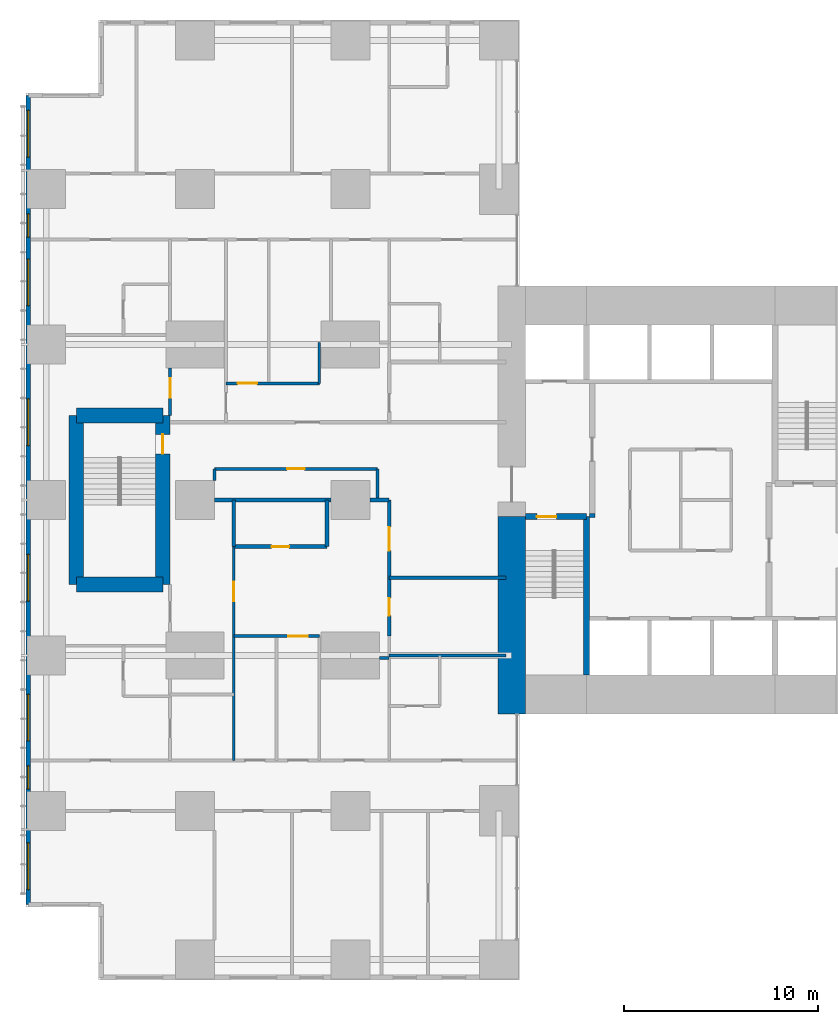
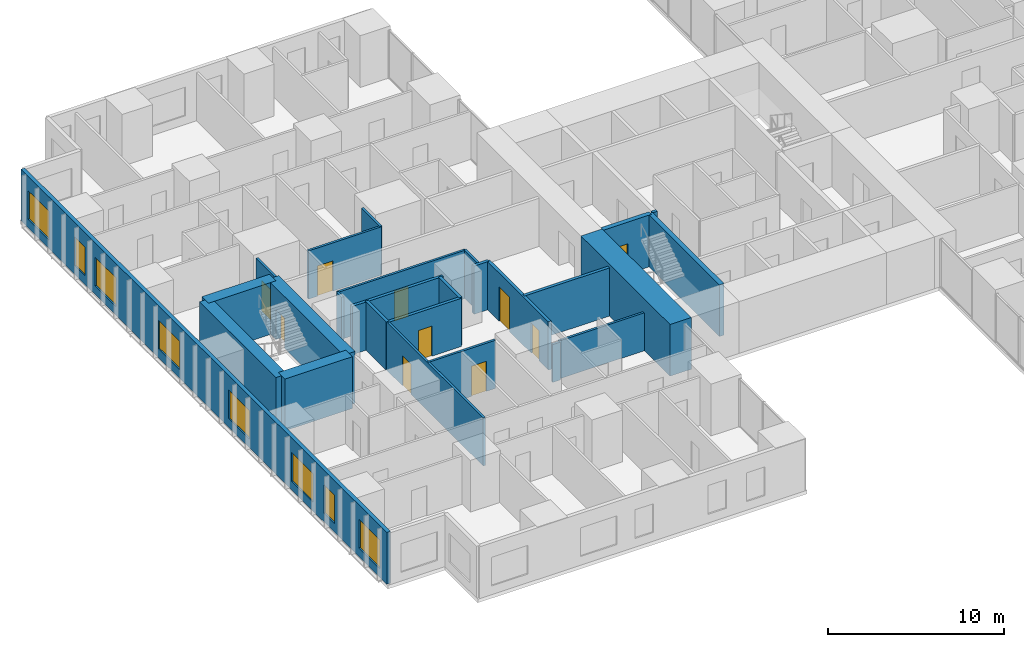
# One storey, part 13 of 20: 26 walls, 10 doors, 8 windows, 18 openings.
"""IFC4 building model written with IfcOpenShell, lengths in metres."""

from ifc_helpers import new_model, si_unit, direction, frame, frame_2d, origin, place, context, subcontext, project, spatial, rectangle, extrude, material, layer, layer_set, type_object, element, fill, save


model = new_model("IFC4")

# Units and contexts
model_context = context("Model", 3, precision=1e-05, world=origin(), true_north=direction((0.0, 1.0)))
body_context = subcontext(model_context, "Body", "Model", "MODEL_VIEW")
ifc_project = project(units=[si_unit("LENGTHUNIT", "METRE"), si_unit("AREAUNIT", "SQUARE_METRE"), si_unit("VOLUMEUNIT", "CUBIC_METRE"), si_unit("PLANEANGLEUNIT", "RADIAN"), si_unit("MASSUNIT", "GRAM", prefix="KILO")], contexts=[model_context])

# Site, building, storey
site_placement = place(None, origin())
site = spatial("IfcSite", under=ifc_project, at=site_placement, CompositionType="ELEMENT")
building_placement = place(site_placement, origin())
building = spatial("IfcBuilding", under=site, at=building_placement, Name="Cleftline Residences", CompositionType="ELEMENT")
storey_placement = place(building_placement, frame((0.0, 0.0, 44.0)))
storey = spatial("IfcBuildingStorey", under=building, at=storey_placement, Name="L10", CompositionType="ELEMENT", Elevation=44.0)

# Walls
ifc_material_1 = material(Name="Concrete B70", Category="concrete")
ifc_layer_1 = layer(ifc_material_1, 1.39990234375)
ifc_layer_set_1 = layer_set([ifc_layer_1], Name="CORE WALL 1400")
wall_type_1 = type_object("IfcWallType", Name="CORE WALL 1400", PredefinedType="SHEAR", material=ifc_layer_set_1)
wall_1_placement = place(storey_placement, frame((24.300048828125, 13.0, 0.0), z_axis=(0.0, 0.0, 1.0), x_axis=(0.0, 1.0, 0.0)))
element("IfcWall", 1, at=wall_1_placement, inside=storey, type_object=wall_type_1, Name="Core wall W0", PredefinedType="SHEAR", context=body_context, shape_type="SweptSolid", body=[
    extrude(rectangle(XDim=10.14990234375, YDim=1.39990234375, at=frame_2d((5.074951171875, 0.0))), origin(), (0.0, 0.0, 1.0), 3.60009765625),
])
ifc_material_2 = material(Name="Concrete B70", Category="concrete")
ifc_layer_2 = layer(ifc_material_2, 0.300048828125)
ifc_layer_set_2 = layer_set([ifc_layer_2], Name="CORE WALL 300")
wall_type_2 = type_object("IfcWallType", Name="CORE WALL 300", PredefinedType="SHEAR", material=ifc_layer_set_2)
wall_2_placement = place(storey_placement, frame((28.14990234375, 15.0, 0.0), z_axis=(0.0, 0.0, 1.0), x_axis=(0.0, 1.0, 0.0)))
element("IfcWall", 2, at=wall_2_placement, inside=storey, type_object=wall_type_2, Name="Core wall SA-E", PredefinedType="SHEAR", context=body_context, shape_type="SweptSolid", body=[
    extrude(rectangle(XDim=8.14990234375, YDim=0.300048828125, at=frame_2d((4.074951171875, 0.0))), origin(), (0.0, 0.0, 1.0), 3.60009765625),
])

# Wall, opening, door
wall_3_placement = place(storey_placement, frame((25.0, 23.14990234375, 0.0), z_axis=(0.0, 0.0, 1.0), x_axis=(1.0, 0.0, 0.0)))
wall_3 = element("IfcWall", 3, at=wall_3_placement, inside=storey, type_object=wall_type_2, Name="Core wall SA-N", PredefinedType="SHEAR", context=body_context, shape_type="SweptSolid", body=[
    extrude(rectangle(XDim=3.14990234375, YDim=0.300048828125, at=frame_2d((1.574951171875, 0.0))), origin(), (0.0, 0.0, 1.0), 3.60009765625),
])
opening_1_placement = place(wall_3_placement, frame((0.60009765625, 0.0, 0.0)))
opening_1 = element("IfcOpeningElement", 4, at=opening_1_placement, cuts=wall_3, Name="Opening D5", PredefinedType="OPENING", context=body_context, shape_type="SweptSolid", body=[
    extrude(rectangle(XDim=1.0, YDim=2.10009765625, at=frame_2d((0.5, 1.050048828125))), frame((0.0, 0.159912109375, 0.0), z_axis=(0.0, -1.0, 0.0), x_axis=(1.0, 0.0, 0.0)), (0.0, 0.0, 1.0), 0.320068359375),
])
ifc_material_3 = material(Name="Steel", Category="steel")
door_type_1 = type_object("IfcDoorType", Name="STAIR DOOR 1000X2100", OperationType="SINGLE_SWING_LEFT", PredefinedType="DOOR", material=ifc_material_3)
door_1_placement = place(opening_1_placement, origin())
door_1 = element("IfcDoor", 5, at=door_1_placement, inside=storey, type_object=door_type_1, Name="Stair A door", OperationType="SINGLE_SWING_RIGHT", OverallHeight=2.10009765625, OverallWidth=1.0, PredefinedType="DOOR", context=body_context, shape_type="SweptSolid", body=[
    extrude(rectangle(XDim=1.0, YDim=2.10009765625, at=frame_2d((0.5, 1.050048828125))), frame((0.0, 0.02490234375, 0.0), z_axis=(0.0, -1.0, 0.0), x_axis=(1.0, 0.0, 0.0)), (0.0, 0.0, 1.0), 0.050048828125),
])
fill(opening_1, door_1)

# Wall, openings, windows
ifc_material_4 = material(Name="Rendered reinforced concrete blockwork", Category="masonry")
ifc_layer_3 = layer(ifc_material_4, 0.25)
ifc_layer_set_3 = layer_set([ifc_layer_3], Name="EXTERNAL WALL 250")
wall_type_3 = type_object("IfcWallType", Name="EXTERNAL WALL 250", PredefinedType="SOLIDWALL", material=ifc_layer_set_3)
wall_4_placement = place(storey_placement, frame((-0.574951171875, 44.824951171875, 0.0), z_axis=(0.0, 0.0, 1.0), x_axis=(0.0, -1.0, 0.0)))
wall_4 = element("IfcWall", 6, at=wall_4_placement, inside=storey, type_object=wall_type_3, Name="External wall", PredefinedType="SOLIDWALL", context=body_context, shape_type="SweptSolid", body=[
    extrude(rectangle(XDim=41.64990234375, YDim=0.25, at=frame_2d((20.824951171875, 0.0))), origin(), (0.0, 0.0, 1.0), 3.60009765625),
])
opening_2_placement = place(wall_4_placement, frame((0.77490234375, 0.0, 0.60009765625)))
opening_2 = element("IfcOpeningElement", 7, at=opening_2_placement, cuts=wall_4, Name="Opening W6", PredefinedType="OPENING", context=body_context, shape_type="SweptSolid", body=[
    extrude(rectangle(XDim=2.39990234375, YDim=2.0, at=frame_2d((1.199951171875, 1.0))), frame((0.0, 0.135009765625, 0.0), z_axis=(0.0, -1.0, 0.0), x_axis=(1.0, 0.0, 0.0)), (0.0, 0.0, 1.0), 0.27001953125),
])
opening_3_placement = place(wall_4_placement, frame((6.10009765625, 0.0, 0.60009765625)))
opening_3 = element("IfcOpeningElement", 8, at=opening_3_placement, cuts=wall_4, Name="Opening W8", PredefinedType="OPENING", context=body_context, shape_type="SweptSolid", body=[
    extrude(rectangle(XDim=1.199951171875, YDim=2.0, at=frame_2d((0.60009765625, 1.0))), frame((0.0, 0.135009765625, 0.0), z_axis=(0.0, -1.0, 0.0), x_axis=(1.0, 0.0, 0.0)), (0.0, 0.0, 1.0), 0.27001953125),
])
opening_4_placement = place(wall_4_placement, frame((8.425048828125, 0.0, 0.60009765625)))
opening_4 = element("IfcOpeningElement", 9, at=opening_4_placement, cuts=wall_4, Name="Opening W6", PredefinedType="OPENING", context=body_context, shape_type="SweptSolid", body=[
    extrude(rectangle(XDim=2.39990234375, YDim=2.0, at=frame_2d((1.199951171875, 1.0))), frame((0.0, 0.135009765625, 0.0), z_axis=(0.0, -1.0, 0.0), x_axis=(1.0, 0.0, 0.0)), (0.0, 0.0, 1.0), 0.27001953125),
])
opening_5_placement = place(wall_4_placement, frame((15.625, 0.0, 0.60009765625)))
opening_5 = element("IfcOpeningElement", 10, at=opening_5_placement, cuts=wall_4, Name="Opening W6", PredefinedType="OPENING", context=body_context, shape_type="SweptSolid", body=[
    extrude(rectangle(XDim=2.39990234375, YDim=2.0, at=frame_2d((1.199951171875, 1.0))), frame((0.0, 0.135009765625, 0.0), z_axis=(0.0, -1.0, 0.0), x_axis=(1.0, 0.0, 0.0)), (0.0, 0.0, 1.0), 0.27001953125),
])
opening_6_placement = place(wall_4_placement, frame((23.625, 0.0, 0.60009765625)))
opening_6 = element("IfcOpeningElement", 11, at=opening_6_placement, cuts=wall_4, Name="Opening W6", PredefinedType="OPENING", context=body_context, shape_type="SweptSolid", body=[
    extrude(rectangle(XDim=2.39990234375, YDim=2.0, at=frame_2d((1.199951171875, 1.0))), frame((0.0, 0.135009765625, 0.0), z_axis=(0.0, -1.0, 0.0), x_axis=(1.0, 0.0, 0.0)), (0.0, 0.0, 1.0), 0.27001953125),
])
opening_7_placement = place(wall_4_placement, frame((30.824951171875, 0.0, 0.60009765625)))
opening_7 = element("IfcOpeningElement", 12, at=opening_7_placement, cuts=wall_4, Name="Opening W6", PredefinedType="OPENING", context=body_context, shape_type="SweptSolid", body=[
    extrude(rectangle(XDim=2.39990234375, YDim=2.0, at=frame_2d((1.199951171875, 1.0))), frame((0.0, 0.135009765625, 0.0), z_axis=(0.0, -1.0, 0.0), x_axis=(1.0, 0.0, 0.0)), (0.0, 0.0, 1.0), 0.27001953125),
])
opening_8_placement = place(wall_4_placement, frame((34.5, 0.0, 0.60009765625)))
opening_8 = element("IfcOpeningElement", 13, at=opening_8_placement, cuts=wall_4, Name="Opening W8", PredefinedType="OPENING", context=body_context, shape_type="SweptSolid", body=[
    extrude(rectangle(XDim=1.199951171875, YDim=2.0, at=frame_2d((0.60009765625, 1.0))), frame((0.0, 0.135009765625, 0.0), z_axis=(0.0, -1.0, 0.0), x_axis=(1.0, 0.0, 0.0)), (0.0, 0.0, 1.0), 0.27001953125),
])
opening_9_placement = place(wall_4_placement, frame((38.47509765625, 0.0, 0.60009765625)))
opening_9 = element("IfcOpeningElement", 14, at=opening_9_placement, cuts=wall_4, Name="Opening W6", PredefinedType="OPENING", context=body_context, shape_type="SweptSolid", body=[
    extrude(rectangle(XDim=2.39990234375, YDim=2.0, at=frame_2d((1.199951171875, 1.0))), frame((0.0, 0.135009765625, 0.0), z_axis=(0.0, -1.0, 0.0), x_axis=(1.0, 0.0, 0.0)), (0.0, 0.0, 1.0), 0.27001953125),
])
ifc_material_5 = material(Name="Aluminium frame, clear double glazing", Category="aluminium")
window_type_1 = type_object("IfcWindowType", Name="WINDOW 1200X2000", PartitioningType="DOUBLE_PANEL_VERTICAL", PredefinedType="WINDOW", material=ifc_material_5)
window_1_placement = place(opening_3_placement, origin())
window_1 = element("IfcWindow", 15, at=window_1_placement, inside=storey, type_object=window_type_1, Name="Window", OverallHeight=2.0, OverallWidth=1.199951171875, PartitioningType="SINGLE_PANEL", PredefinedType="WINDOW", context=body_context, shape_type="SweptSolid", body=[
    extrude(rectangle(XDim=1.199951171875, YDim=2.0, at=frame_2d((0.60009765625, 1.0))), frame((0.0, 0.030029296875, 0.0), z_axis=(0.0, -1.0, 0.0), x_axis=(1.0, 0.0, 0.0)), (0.0, 0.0, 1.0), 0.06005859375),
])
fill(opening_3, window_1)
window_2_placement = place(opening_8_placement, origin())
window_2 = element("IfcWindow", 16, at=window_2_placement, inside=storey, type_object=window_type_1, Name="Window", OverallHeight=2.0, OverallWidth=1.199951171875, PartitioningType="SINGLE_PANEL", PredefinedType="WINDOW", context=body_context, shape_type="SweptSolid", body=[
    extrude(rectangle(XDim=1.199951171875, YDim=2.0, at=frame_2d((0.60009765625, 1.0))), frame((0.0, 0.030029296875, 0.0), z_axis=(0.0, -1.0, 0.0), x_axis=(1.0, 0.0, 0.0)), (0.0, 0.0, 1.0), 0.06005859375),
])
fill(opening_8, window_2)
ifc_material_6 = material(Name="Aluminium frame, clear double glazing", Category="aluminium")
window_type_2 = type_object("IfcWindowType", Name="WINDOW 2400X2000", PartitioningType="DOUBLE_PANEL_VERTICAL", PredefinedType="WINDOW", material=ifc_material_6)
window_3_placement = place(opening_2_placement, origin())
window_3 = element("IfcWindow", 17, at=window_3_placement, inside=storey, type_object=window_type_2, Name="Window", OverallHeight=2.0, OverallWidth=2.39990234375, PartitioningType="SINGLE_PANEL", PredefinedType="WINDOW", context=body_context, shape_type="SweptSolid", body=[
    extrude(rectangle(XDim=2.39990234375, YDim=2.0, at=frame_2d((1.199951171875, 1.0))), frame((0.0, 0.030029296875, 0.0), z_axis=(0.0, -1.0, 0.0), x_axis=(1.0, 0.0, 0.0)), (0.0, 0.0, 1.0), 0.06005859375),
])
fill(opening_2, window_3)
window_4_placement = place(opening_4_placement, origin())
window_4 = element("IfcWindow", 18, at=window_4_placement, inside=storey, type_object=window_type_2, Name="Window", OverallHeight=2.0, OverallWidth=2.39990234375, PartitioningType="SINGLE_PANEL", PredefinedType="WINDOW", context=body_context, shape_type="SweptSolid", body=[
    extrude(rectangle(XDim=2.39990234375, YDim=2.0, at=frame_2d((1.199951171875, 1.0))), frame((0.0, 0.030029296875, 0.0), z_axis=(0.0, -1.0, 0.0), x_axis=(1.0, 0.0, 0.0)), (0.0, 0.0, 1.0), 0.06005859375),
])
fill(opening_4, window_4)
window_5_placement = place(opening_5_placement, origin())
window_5 = element("IfcWindow", 19, at=window_5_placement, inside=storey, type_object=window_type_2, Name="Window", OverallHeight=2.0, OverallWidth=2.39990234375, PartitioningType="SINGLE_PANEL", PredefinedType="WINDOW", context=body_context, shape_type="SweptSolid", body=[
    extrude(rectangle(XDim=2.39990234375, YDim=2.0, at=frame_2d((1.199951171875, 1.0))), frame((0.0, 0.030029296875, 0.0), z_axis=(0.0, -1.0, 0.0), x_axis=(1.0, 0.0, 0.0)), (0.0, 0.0, 1.0), 0.06005859375),
])
fill(opening_5, window_5)
window_6_placement = place(opening_6_placement, origin())
window_6 = element("IfcWindow", 20, at=window_6_placement, inside=storey, type_object=window_type_2, Name="Window", OverallHeight=2.0, OverallWidth=2.39990234375, PartitioningType="SINGLE_PANEL", PredefinedType="WINDOW", context=body_context, shape_type="SweptSolid", body=[
    extrude(rectangle(XDim=2.39990234375, YDim=2.0, at=frame_2d((1.199951171875, 1.0))), frame((0.0, 0.030029296875, 0.0), z_axis=(0.0, -1.0, 0.0), x_axis=(1.0, 0.0, 0.0)), (0.0, 0.0, 1.0), 0.06005859375),
])
fill(opening_6, window_6)
window_7_placement = place(opening_7_placement, origin())
window_7 = element("IfcWindow", 21, at=window_7_placement, inside=storey, type_object=window_type_2, Name="Window", OverallHeight=2.0, OverallWidth=2.39990234375, PartitioningType="SINGLE_PANEL", PredefinedType="WINDOW", context=body_context, shape_type="SweptSolid", body=[
    extrude(rectangle(XDim=2.39990234375, YDim=2.0, at=frame_2d((1.199951171875, 1.0))), frame((0.0, 0.030029296875, 0.0), z_axis=(0.0, -1.0, 0.0), x_axis=(1.0, 0.0, 0.0)), (0.0, 0.0, 1.0), 0.06005859375),
])
fill(opening_7, window_7)
window_8_placement = place(opening_9_placement, origin())
window_8 = element("IfcWindow", 22, at=window_8_placement, inside=storey, type_object=window_type_2, Name="Window", OverallHeight=2.0, OverallWidth=2.39990234375, PartitioningType="SINGLE_PANEL", PredefinedType="WINDOW", context=body_context, shape_type="SweptSolid", body=[
    extrude(rectangle(XDim=2.39990234375, YDim=2.0, at=frame_2d((1.199951171875, 1.0))), frame((0.0, 0.030029296875, 0.0), z_axis=(0.0, -1.0, 0.0), x_axis=(1.0, 0.0, 0.0)), (0.0, 0.0, 1.0), 0.06005859375),
])
fill(opening_9, window_8)

# Wall
ifc_material_7 = material(Name="Concrete blockwork, fire rated", Category="masonry")
ifc_layer_4 = layer(ifc_material_7, 0.199951171875)
ifc_layer_set_4 = layer_set([ifc_layer_4], Name="FIRE WALL 200")
wall_type_4 = type_object("IfcWallType", Name="FIRE WALL 200", PredefinedType="PARTITIONING", material=ifc_layer_set_4)
wall_5_placement = place(storey_placement, frame((18.0, 20.0, 0.0), z_axis=(0.0, 0.0, 1.0), x_axis=(1.0, 0.0, 0.0)))
element("IfcWall", 23, at=wall_5_placement, inside=storey, type_object=wall_type_4, Name="Fire separating wall", PredefinedType="PARTITIONING", context=body_context, shape_type="SweptSolid", body=[
    extrude(rectangle(XDim=6.0, YDim=0.199951171875, at=frame_2d((3.0, 0.0))), origin(), (0.0, 0.0, 1.0), 3.35009765625),
])

# Wall, opening, door
wall_6_placement = place(storey_placement, frame((10.0, 21.60009765625, 0.0), z_axis=(0.0, 0.0, 1.0), x_axis=(1.0, 0.0, 0.0)))
wall_6 = element("IfcWall", 24, at=wall_6_placement, inside=storey, type_object=wall_type_4, Name="Fire separating wall", PredefinedType="PARTITIONING", context=body_context, shape_type="SweptSolid", body=[
    extrude(rectangle(XDim=4.800048828125, YDim=0.199951171875, at=frame_2d((2.39990234375, 0.0))), origin(), (0.0, 0.0, 1.0), 3.35009765625),
])
opening_10_placement = place(wall_6_placement, frame((1.949951171875, 0.0, 0.0)))
opening_10 = element("IfcOpeningElement", 25, at=opening_10_placement, cuts=wall_6, Name="Opening D1F30", PredefinedType="OPENING", context=body_context, shape_type="SweptSolid", body=[
    extrude(rectangle(XDim=0.89990234375, YDim=2.10009765625, at=frame_2d((0.449951171875, 1.050048828125))), frame((0.0, 0.10986328125, 0.0), z_axis=(0.0, -1.0, 0.0), x_axis=(1.0, 0.0, 0.0)), (0.0, 0.0, 1.0), 0.219970703125),
])
ifc_material_8 = material(Name="Timber veneer on solid core", Category="wood")
door_type_2 = type_object("IfcDoorType", Name="DOOR 900X2100 EI 30", OperationType="SINGLE_SWING_LEFT", PredefinedType="DOOR", material=ifc_material_8)
door_2_placement = place(opening_10_placement, origin())
door_2 = element("IfcDoor", 26, at=door_2_placement, inside=storey, type_object=door_type_2, Name="Door to cloakroom wc", OperationType="SINGLE_SWING_LEFT", OverallHeight=2.10009765625, OverallWidth=0.89990234375, PredefinedType="DOOR", context=body_context, shape_type="SweptSolid", body=[
    extrude(rectangle(XDim=0.89990234375, YDim=2.10009765625, at=frame_2d((0.449951171875, 1.050048828125))), frame((0.0, 0.02490234375, 0.0), z_axis=(0.0, -1.0, 0.0), x_axis=(1.0, 0.0, 0.0)), (0.0, 0.0, 1.0), 0.050048828125),
])
fill(opening_10, door_2)

# Walls
wall_7_placement = place(storey_placement, frame((9.0, 24.0, 0.0), z_axis=(0.0, 0.0, 1.0), x_axis=(1.0, 0.0, 0.0)))
element("IfcWall", 27, at=wall_7_placement, inside=storey, type_object=wall_type_4, Name="Fire separating wall", PredefinedType="PARTITIONING", context=body_context, shape_type="SweptSolid", body=[
    extrude(rectangle(XDim=6.0, YDim=0.199951171875, at=frame_2d((3.0, 0.0))), origin(), (0.0, 0.0, 1.0), 3.35009765625),
])
wall_8_placement = place(storey_placement, frame((17.0, 24.0, 0.0), z_axis=(0.0, 0.0, 1.0), x_axis=(1.0, 0.0, 0.0)))
element("IfcWall", 28, at=wall_8_placement, inside=storey, type_object=wall_type_4, Name="Fire separating wall", PredefinedType="PARTITIONING", context=body_context, shape_type="SweptSolid", body=[
    extrude(rectangle(XDim=1.0, YDim=0.199951171875, at=frame_2d((0.5, 0.0))), origin(), (0.0, 0.0, 1.0), 3.35009765625),
])
for number, where, z_axis, x_axis, name in (
    (29, (10.0, 21.60009765625, 0.0), (0.0, 0.0, 1.0), (0.0, 1.0, 0.0), "Fire separating wall"),
    (30, (14.800048828125, 21.60009765625, 0.0), (0.0, 0.0, 1.0), (0.0, 1.0, 0.0), "Fire separating wall"),
):
    element("IfcWall", number, at=place(storey_placement, frame(where, z_axis=z_axis, x_axis=x_axis)), inside=storey, type_object=wall_type_4, Name=name, PredefinedType="PARTITIONING", context=body_context, shape_type="SweptSolid", body=[
        extrude(rectangle(XDim=2.39990234375, YDim=0.199951171875, at=frame_2d((1.199951171875, 0.0))), origin(), (0.0, 0.0, 1.0), 3.35009765625),
    ])

# Wall, openings, doors
wall_9_placement = place(storey_placement, frame((18.0, 17.0, 0.0), z_axis=(0.0, 0.0, 1.0), x_axis=(0.0, 1.0, 0.0)))
wall_9 = element("IfcWall", 31, at=wall_9_placement, inside=storey, type_object=wall_type_4, Name="Fire separating wall", PredefinedType="PARTITIONING", context=body_context, shape_type="SweptSolid", body=[
    extrude(rectangle(XDim=7.0, YDim=0.199951171875, at=frame_2d((3.5, 0.0))), origin(), (0.0, 0.0, 1.0), 3.35009765625),
])
opening_11_placement = place(wall_9_placement, frame((4.39990234375, 0.0, 0.0)))
opening_11 = element("IfcOpeningElement", 32, at=opening_11_placement, cuts=wall_9, Name="Opening D4", PredefinedType="OPENING", context=body_context, shape_type="SweptSolid", body=[
    extrude(rectangle(XDim=1.199951171875, YDim=2.39990234375, at=frame_2d((0.60009765625, 1.199951171875))), frame((0.0, 0.10986328125, 0.0), z_axis=(0.0, -1.0, 0.0), x_axis=(1.0, 0.0, 0.0)), (0.0, 0.0, 1.0), 0.219970703125),
])
opening_12_placement = place(wall_9_placement, frame((1.050048828125, 0.0, 0.0)))
opening_12 = element("IfcOpeningElement", 33, at=opening_12_placement, cuts=wall_9, Name="Opening D1F30", PredefinedType="OPENING", context=body_context, shape_type="SweptSolid", body=[
    extrude(rectangle(XDim=0.89990234375, YDim=2.10009765625, at=frame_2d((0.449951171875, 1.050048828125))), frame((0.0, 0.10986328125, 0.0), z_axis=(0.0, -1.0, 0.0), x_axis=(1.0, 0.0, 0.0)), (0.0, 0.0, 1.0), 0.219970703125),
])
ifc_material_9 = material(Name="Timber veneer on solid core", Category="wood")
door_type_3 = type_object("IfcDoorType", Name="APARTMENT ENTRANCE DOOR 1200X2400", OperationType="SINGLE_SWING_RIGHT", PredefinedType="DOOR", material=ifc_material_9)
door_3_placement = place(opening_11_placement, origin())
door_3 = element("IfcDoor", 34, at=door_3_placement, inside=storey, type_object=door_type_3, Name="Door to residence entrance foyer", OperationType="SINGLE_SWING_LEFT", OverallHeight=2.39990234375, OverallWidth=1.199951171875, PredefinedType="DOOR", context=body_context, shape_type="SweptSolid", body=[
    extrude(rectangle(XDim=1.199951171875, YDim=2.39990234375, at=frame_2d((0.60009765625, 1.199951171875))), frame((0.0, 0.02490234375, 0.0), z_axis=(0.0, -1.0, 0.0), x_axis=(1.0, 0.0, 0.0)), (0.0, 0.0, 1.0), 0.050048828125),
])
fill(opening_11, door_3)
door_4_placement = place(opening_12_placement, origin())
door_4 = element("IfcDoor", 35, at=door_4_placement, inside=storey, type_object=door_type_2, Name="Door to utility room", OperationType="SINGLE_SWING_RIGHT", OverallHeight=2.10009765625, OverallWidth=0.89990234375, PredefinedType="DOOR", context=body_context, shape_type="SweptSolid", body=[
    extrude(rectangle(XDim=0.89990234375, YDim=2.10009765625, at=frame_2d((0.449951171875, 1.050048828125))), frame((0.0, 0.02490234375, 0.0), z_axis=(0.0, -1.0, 0.0), x_axis=(1.0, 0.0, 0.0)), (0.0, 0.0, 1.0), 0.050048828125),
])
fill(opening_12, door_4)

# Walls
wall_10_placement = place(storey_placement, frame((28.300048828125, 23.199951171875, 0.0), z_axis=(0.0, 0.0, 1.0), x_axis=(1.0, 0.0, 0.0)))
element("IfcWall", 36, at=wall_10_placement, inside=storey, type_object=wall_type_4, Name="Fire separating wall", PredefinedType="PARTITIONING", context=body_context, shape_type="SweptSolid", body=[
    extrude(rectangle(XDim=0.300048828125, YDim=0.199951171875, at=frame_2d((0.14990234375, 0.0))), origin(), (0.0, 0.0, 1.0), 3.60009765625),
])
ifc_material_10 = material(Name="Gypsum board on steel studs", Category="steel")
ifc_layer_5 = layer(ifc_material_10, 0.14990234375)
ifc_layer_set_5 = layer_set([ifc_layer_5], Name="PARTITION 150")
wall_type_5 = type_object("IfcWallType", Name="PARTITION 150", PredefinedType="PARTITIONING", material=ifc_layer_set_5)
wall_11_placement = place(storey_placement, frame((17.5, 15.875, 0.0), z_axis=(0.0, 0.0, 1.0), x_axis=(1.0, 0.0, 0.0)))
element("IfcWall", 37, at=wall_11_placement, inside=storey, type_object=wall_type_5, Name="Partition", PredefinedType="PARTITIONING", context=body_context, shape_type="SweptSolid", body=[
    extrude(rectangle(XDim=0.5, YDim=0.14990234375, at=frame_2d((0.25, 0.0))), origin(), (0.0, 0.0, 1.0), 2.634033203125),
])
wall_12_placement = place(storey_placement, frame((18.0, 16.0, 0.0), z_axis=(0.0, 0.0, 1.0), x_axis=(1.0, 0.0, 0.0)))
element("IfcWall", 38, at=wall_12_placement, inside=storey, type_object=wall_type_5, Name="Partition", PredefinedType="PARTITIONING", context=body_context, shape_type="SweptSolid", body=[
    extrude(rectangle(XDim=6.0, YDim=0.14990234375, at=frame_2d((3.0, 0.0))), origin(), (0.0, 0.0, 1.0), 2.634033203125),
])

# Wall, opening, door
wall_13_placement = place(storey_placement, frame((10.0, 17.0, 0.0), z_axis=(0.0, 0.0, 1.0), x_axis=(1.0, 0.0, 0.0)))
wall_13 = element("IfcWall", 39, at=wall_13_placement, inside=storey, type_object=wall_type_5, Name="Partition", PredefinedType="PARTITIONING", context=body_context, shape_type="SweptSolid", body=[
    extrude(rectangle(XDim=4.39990234375, YDim=0.14990234375, at=frame_2d((2.199951171875, 0.0))), origin(), (0.0, 0.0, 1.0), 3.35009765625),
])
opening_13_placement = place(wall_13_placement, frame((2.800048828125, 0.0, 0.0)))
opening_13 = element("IfcOpeningElement", 40, at=opening_13_placement, cuts=wall_13, Name="Opening D2", PredefinedType="OPENING", context=body_context, shape_type="SweptSolid", body=[
    extrude(rectangle(XDim=1.0, YDim=2.10009765625, at=frame_2d((0.5, 1.050048828125))), frame((0.0, 0.0849609375, 0.0), z_axis=(0.0, -1.0, 0.0), x_axis=(1.0, 0.0, 0.0)), (0.0, 0.0, 1.0), 0.169921875),
])
ifc_material_11 = material(Name="Timber veneer on solid core", Category="wood")
door_type_4 = type_object("IfcDoorType", Name="DOOR 1000X2100", OperationType="SINGLE_SWING_LEFT", PredefinedType="DOOR", material=ifc_material_11)
door_5_placement = place(opening_13_placement, origin())
door_5 = element("IfcDoor", 41, at=door_5_placement, inside=storey, type_object=door_type_4, Name="Door to residence passage", OperationType="SINGLE_SWING_LEFT", OverallHeight=2.10009765625, OverallWidth=1.0, PredefinedType="DOOR", context=body_context, shape_type="SweptSolid", body=[
    extrude(rectangle(XDim=1.0, YDim=2.10009765625, at=frame_2d((0.5, 1.050048828125))), frame((0.0, 0.02490234375, 0.0), z_axis=(0.0, -1.0, 0.0), x_axis=(1.0, 0.0, 0.0)), (0.0, 0.0, 1.0), 0.050048828125),
])
fill(opening_13, door_5)

wall_14_placement = place(storey_placement, frame((9.0, 25.60009765625, 0.0), z_axis=(0.0, 0.0, 1.0), x_axis=(1.0, 0.0, 0.0)))
wall_14 = element("IfcWall", 42, at=wall_14_placement, inside=storey, type_object=wall_type_5, Name="Partition", PredefinedType="PARTITIONING", context=body_context, shape_type="SweptSolid", body=[
    extrude(rectangle(XDim=8.39990234375, YDim=0.14990234375, at=frame_2d((4.199951171875, 0.0))), origin(), (0.0, 0.0, 1.0), 3.35009765625),
])
opening_14_placement = place(wall_14_placement, frame((3.75, 0.0, 0.0)))
opening_14 = element("IfcOpeningElement", 43, at=opening_14_placement, cuts=wall_14, Name="Opening D1", PredefinedType="OPENING", context=body_context, shape_type="SweptSolid", body=[
    extrude(rectangle(XDim=0.89990234375, YDim=2.10009765625, at=frame_2d((0.449951171875, 1.050048828125))), frame((0.0, 0.0849609375, 0.0), z_axis=(0.0, -1.0, 0.0), x_axis=(1.0, 0.0, 0.0)), (0.0, 0.0, 1.0), 0.169921875),
])
ifc_material_12 = material(Name="Timber veneer on solid core", Category="wood")
door_type_5 = type_object("IfcDoorType", Name="DOOR 900X2100", OperationType="SINGLE_SWING_LEFT", PredefinedType="DOOR", material=ifc_material_12)
door_6_placement = place(opening_14_placement, origin())
door_6 = element("IfcDoor", 44, at=door_6_placement, inside=storey, type_object=door_type_5, Name="Door to residents' locker room", OperationType="SINGLE_SWING_LEFT", OverallHeight=2.10009765625, OverallWidth=0.89990234375, PredefinedType="DOOR", context=body_context, shape_type="SweptSolid", body=[
    extrude(rectangle(XDim=0.89990234375, YDim=2.10009765625, at=frame_2d((0.449951171875, 1.050048828125))), frame((0.0, 0.02490234375, 0.0), z_axis=(0.0, -1.0, 0.0), x_axis=(1.0, 0.0, 0.0)), (0.0, 0.0, 1.0), 0.050048828125),
])
fill(opening_14, door_6)

wall_15_placement = place(storey_placement, frame((9.60009765625, 30.0, 0.0), z_axis=(0.0, 0.0, 1.0), x_axis=(1.0, 0.0, 0.0)))
wall_15 = element("IfcWall", 45, at=wall_15_placement, inside=storey, type_object=wall_type_5, Name="Partition", PredefinedType="PARTITIONING", context=body_context, shape_type="SweptSolid", body=[
    extrude(rectangle(XDim=4.7998046875, YDim=0.14990234375, at=frame_2d((2.39990234375, 0.0))), origin(), (0.0, 0.0, 1.0), 3.35009765625),
])
opening_15_placement = place(wall_15_placement, frame((0.60009765625, 0.0, 0.0)))
opening_15 = element("IfcOpeningElement", 46, at=opening_15_placement, cuts=wall_15, Name="Opening D2", PredefinedType="OPENING", context=body_context, shape_type="SweptSolid", body=[
    extrude(rectangle(XDim=1.0, YDim=2.10009765625, at=frame_2d((0.5, 1.050048828125))), frame((0.0, 0.0849609375, 0.0), z_axis=(0.0, -1.0, 0.0), x_axis=(1.0, 0.0, 0.0)), (0.0, 0.0, 1.0), 0.169921875),
])
door_7_placement = place(opening_15_placement, origin())
door_7 = element("IfcDoor", 47, at=door_7_placement, inside=storey, type_object=door_type_4, Name="Door to residence passage", OperationType="SINGLE_SWING_RIGHT", OverallHeight=2.10009765625, OverallWidth=1.0, PredefinedType="DOOR", context=body_context, shape_type="SweptSolid", body=[
    extrude(rectangle(XDim=1.0, YDim=2.10009765625, at=frame_2d((0.5, 1.050048828125))), frame((0.0, 0.02490234375, 0.0), z_axis=(0.0, -1.0, 0.0), x_axis=(1.0, 0.0, 0.0)), (0.0, 0.0, 1.0), 0.050048828125),
])
fill(opening_15, door_7)

wall_16_placement = place(storey_placement, frame((6.72509765625, 28.35009765625, 0.0), z_axis=(0.0, 0.0, 1.0), x_axis=(0.0, 1.0, 0.0)))
wall_16 = element("IfcWall", 48, at=wall_16_placement, inside=storey, type_object=wall_type_5, Name="Partition", PredefinedType="PARTITIONING", context=body_context, shape_type="SweptSolid", body=[
    extrude(rectangle(XDim=2.449951171875, YDim=0.14990234375, at=frame_2d((1.22509765625, 0.0))), origin(), (0.0, 0.0, 1.0), 3.35009765625),
])
opening_16_placement = place(wall_16_placement, frame((0.91259765625, 0.0, 0.0)))
opening_16 = element("IfcOpeningElement", 49, at=opening_16_placement, cuts=wall_16, Name="Opening D2", PredefinedType="OPENING", context=body_context, shape_type="SweptSolid", body=[
    extrude(rectangle(XDim=1.0, YDim=2.10009765625, at=frame_2d((0.5, 1.050048828125))), frame((0.0, 0.0849609375, 0.0), z_axis=(0.0, -1.0, 0.0), x_axis=(1.0, 0.0, 0.0)), (0.0, 0.0, 1.0), 0.169921875),
])
door_8_placement = place(opening_16_placement, origin())
door_8 = element("IfcDoor", 50, at=door_8_placement, inside=storey, type_object=door_type_4, Name="Door to staff bedroom", OperationType="SINGLE_SWING_LEFT", OverallHeight=2.10009765625, OverallWidth=1.0, PredefinedType="DOOR", context=body_context, shape_type="SweptSolid", body=[
    extrude(rectangle(XDim=1.0, YDim=2.10009765625, at=frame_2d((0.5, 1.050048828125))), frame((0.0, 0.02490234375, 0.0), z_axis=(0.0, -1.0, 0.0), x_axis=(1.0, 0.0, 0.0)), (0.0, 0.0, 1.0), 0.050048828125),
])
fill(opening_16, door_8)

# Wall
wall_17_placement = place(storey_placement, frame((9.0, 25.0, 0.0), z_axis=(0.0, 0.0, 1.0), x_axis=(0.0, 1.0, 0.0)))
element("IfcWall", 51, at=wall_17_placement, inside=storey, type_object=wall_type_5, Name="Partition", PredefinedType="PARTITIONING", context=body_context, shape_type="SweptSolid", body=[
    extrude(rectangle(XDim=0.60009765625, YDim=0.14990234375, at=frame_2d((0.300048828125, 0.0))), origin(), (0.0, 0.0, 1.0), 3.35009765625),
])

# Wall, opening, door
wall_18_placement = place(storey_placement, frame((10.0, 10.60009765625, 0.0), z_axis=(0.0, 0.0, 1.0), x_axis=(0.0, 1.0, 0.0)))
wall_18 = element("IfcWall", 52, at=wall_18_placement, inside=storey, type_object=wall_type_5, Name="Partition", PredefinedType="PARTITIONING", context=body_context, shape_type="SweptSolid", body=[
    extrude(rectangle(XDim=11.0, YDim=0.14990234375, at=frame_2d((5.5, 0.0))), origin(), (0.0, 0.0, 1.0), 3.35009765625),
])
opening_17_placement = place(wall_18_placement, frame((8.199951171875, 0.0, 0.0)))
opening_17 = element("IfcOpeningElement", 53, at=opening_17_placement, cuts=wall_18, Name="Opening D2F30", PredefinedType="OPENING", context=body_context, shape_type="SweptSolid", body=[
    extrude(rectangle(XDim=1.0, YDim=2.10009765625, at=frame_2d((0.5, 1.050048828125))), frame((0.0, 0.0849609375, 0.0), z_axis=(0.0, -1.0, 0.0), x_axis=(1.0, 0.0, 0.0)), (0.0, 0.0, 1.0), 0.169921875),
])
ifc_material_13 = material(Name="Timber veneer on solid core", Category="wood")
door_type_6 = type_object("IfcDoorType", Name="DOOR 1000X2100 EI 30", OperationType="SINGLE_SWING_LEFT", PredefinedType="DOOR", material=ifc_material_13)
door_9_placement = place(opening_17_placement, origin())
door_9 = element("IfcDoor", 54, at=door_9_placement, inside=storey, type_object=door_type_6, Name="Door to residence lobby", OperationType="SINGLE_SWING_LEFT", OverallHeight=2.10009765625, OverallWidth=1.0, PredefinedType="DOOR", context=body_context, shape_type="SweptSolid", body=[
    extrude(rectangle(XDim=1.0, YDim=2.10009765625, at=frame_2d((0.5, 1.050048828125))), frame((0.0, 0.02490234375, 0.0), z_axis=(0.0, -1.0, 0.0), x_axis=(1.0, 0.0, 0.0)), (0.0, 0.0, 1.0), 0.050048828125),
])
fill(opening_17, door_9)

# Walls
wall_19_placement = place(storey_placement, frame((14.39990234375, 30.0, 0.0), z_axis=(0.0, 0.0, 1.0), x_axis=(0.0, 1.0, 0.0)))
element("IfcWall", 55, at=wall_19_placement, inside=storey, type_object=wall_type_5, Name="Partition", PredefinedType="PARTITIONING", context=body_context, shape_type="SweptSolid", body=[
    extrude(rectangle(XDim=2.10009765625, YDim=0.14990234375, at=frame_2d((1.050048828125, 0.0))), origin(), (0.0, 0.0, 1.0), 3.35009765625),
])
wall_20_placement = place(storey_placement, frame((17.39990234375, 24.0, 0.0), z_axis=(0.0, 0.0, 1.0), x_axis=(0.0, 1.0, 0.0)))
element("IfcWall", 56, at=wall_20_placement, inside=storey, type_object=wall_type_5, Name="Partition", PredefinedType="PARTITIONING", context=body_context, shape_type="SweptSolid", body=[
    extrude(rectangle(XDim=1.60009765625, YDim=0.14990234375, at=frame_2d((0.800048828125, 0.0))), origin(), (0.0, 0.0, 1.0), 3.35009765625),
])
ifc_material_14 = material(Name="Concrete B70", Category="concrete")
ifc_layer_6 = layer(ifc_material_14, 0.75)
ifc_layer_set_6 = layer_set([ifc_layer_6], Name="SHEAR WALL 750")
wall_type_6 = type_object("IfcWallType", Name="SHEAR WALL 750", PredefinedType="SHEAR", material=ifc_layer_set_6)
wall_21_placement = place(storey_placement, frame((1.89990234375, 19.64990234375, 0.0), z_axis=(0.0, 0.0, 1.0), x_axis=(1.0, 0.0, 0.0)))
element("IfcWall", 57, at=wall_21_placement, inside=storey, type_object=wall_type_6, Name="Wing shear wall", PredefinedType="SHEAR", context=body_context, shape_type="SweptSolid", body=[
    extrude(rectangle(XDim=4.4501953125, YDim=0.75, at=frame_2d((2.22509765625, 0.0))), origin(), (0.0, 0.0, 1.0), 3.60009765625),
])

# Wall, opening, door
wall_22_placement = place(storey_placement, frame((6.35009765625, 19.64990234375, 0.0), z_axis=(0.0, 0.0, 1.0), x_axis=(0.0, 1.0, 0.0)))
wall_22 = element("IfcWall", 58, at=wall_22_placement, inside=storey, type_object=wall_type_6, Name="Wing shear wall", PredefinedType="SHEAR", context=body_context, shape_type="SweptSolid", body=[
    extrude(rectangle(XDim=8.7001953125, YDim=0.75, at=frame_2d((4.35009765625, 0.0))), origin(), (0.0, 0.0, 1.0), 3.60009765625),
])
opening_18_placement = place(wall_22_placement, frame((6.72509765625, 0.0, 0.0)))
opening_18 = element("IfcOpeningElement", 59, at=opening_18_placement, cuts=wall_22, Name="Opening D5", PredefinedType="OPENING", context=body_context, shape_type="SweptSolid", body=[
    extrude(rectangle(XDim=1.0, YDim=2.10009765625, at=frame_2d((0.5, 1.050048828125))), frame((0.0, 0.385009765625, 0.0), z_axis=(0.0, -1.0, 0.0), x_axis=(1.0, 0.0, 0.0)), (0.0, 0.0, 1.0), 0.77001953125),
])
door_10_placement = place(opening_18_placement, origin())
door_10 = element("IfcDoor", 60, at=door_10_placement, inside=storey, type_object=door_type_1, Name="Stair W door", OperationType="SINGLE_SWING_LEFT", OverallHeight=2.10009765625, OverallWidth=1.0, PredefinedType="DOOR", context=body_context, shape_type="SweptSolid", body=[
    extrude(rectangle(XDim=1.0, YDim=2.10009765625, at=frame_2d((0.5, 1.050048828125))), frame((0.0, 0.02490234375, 0.0), z_axis=(0.0, -1.0, 0.0), x_axis=(1.0, 0.0, 0.0)), (0.0, 0.0, 1.0), 0.050048828125),
])
fill(opening_18, door_10)

# Walls
wall_23_placement = place(storey_placement, frame((6.35009765625, 28.35009765625, 0.0), z_axis=(0.0, 0.0, 1.0), x_axis=(-1.0, 0.0, 0.0)))
element("IfcWall", 61, at=wall_23_placement, inside=storey, type_object=wall_type_6, Name="Wing shear wall", PredefinedType="SHEAR", context=body_context, shape_type="SweptSolid", body=[
    extrude(rectangle(XDim=4.4501953125, YDim=0.75, at=frame_2d((2.22509765625, 0.0))), origin(), (0.0, 0.0, 1.0), 3.60009765625),
])
wall_24_placement = place(storey_placement, frame((1.89990234375, 28.35009765625, 0.0), z_axis=(0.0, 0.0, 1.0), x_axis=(0.0, -1.0, 0.0)))
element("IfcWall", 62, at=wall_24_placement, inside=storey, type_object=wall_type_6, Name="Wing shear wall", PredefinedType="SHEAR", context=body_context, shape_type="SweptSolid", body=[
    extrude(rectangle(XDim=8.7001953125, YDim=0.75, at=frame_2d((4.35009765625, 0.0))), origin(), (0.0, 0.0, 1.0), 3.60009765625),
])

save(model, "model.ifc")
